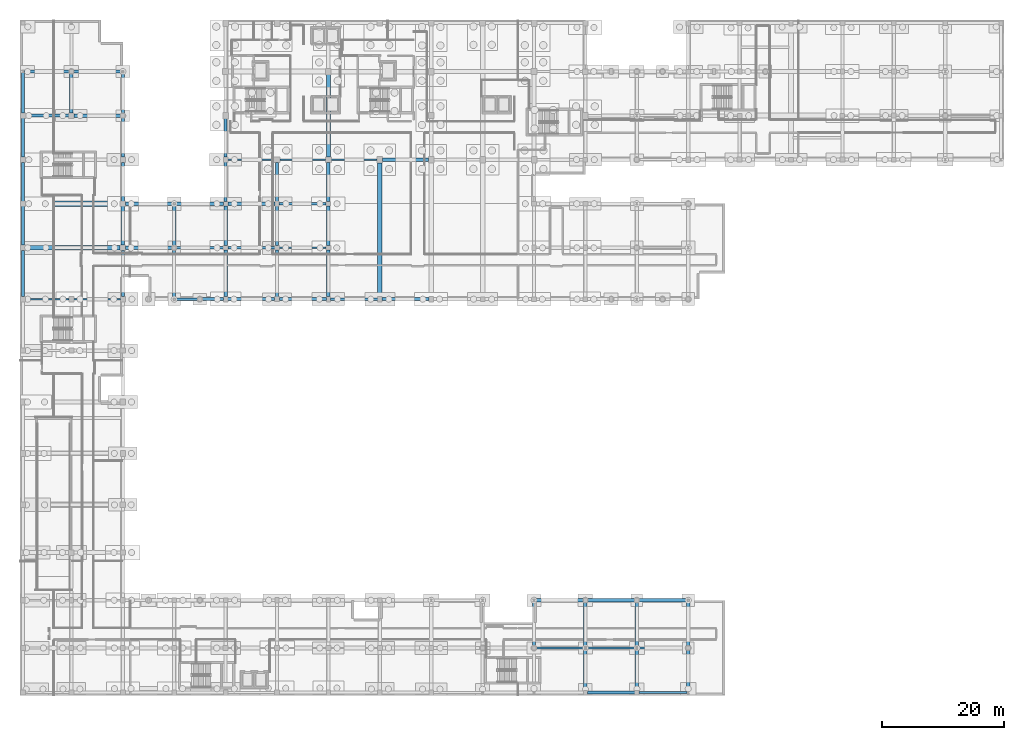
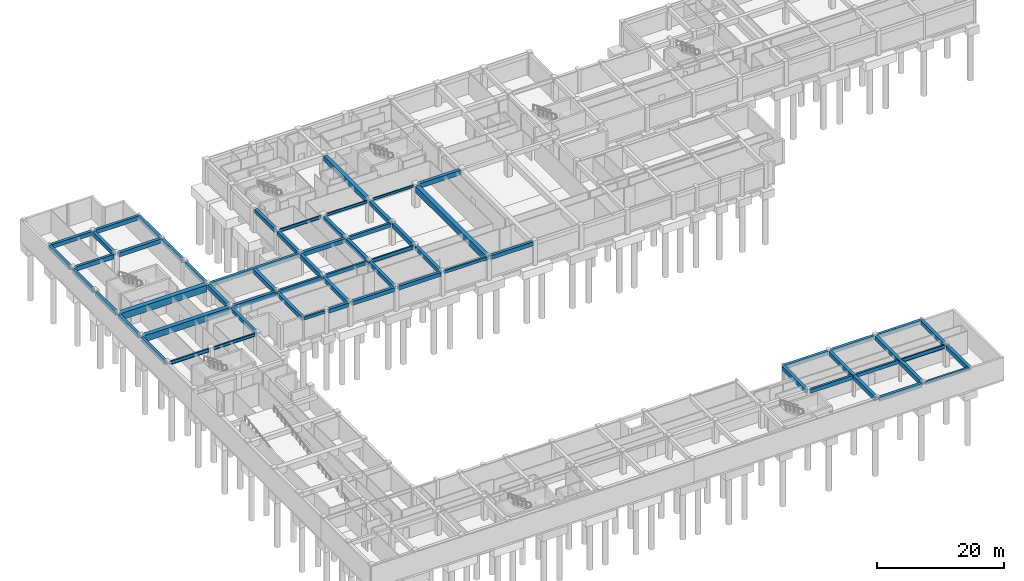
# One storey, part 20 of 42: 66 beams.
"""IFC4 building model written with IfcOpenShell, lengths in metres."""

from ifc_helpers import new_model, si_unit, direction, frame, origin, origin_2d, place, context, subcontext, project, spatial, rectangle, i_section, extrude, material, material_profile, profile_set, type_object, element, save


model = new_model("IFC4")

# Units and contexts
model_context = context("Model", 3, precision=1e-05, world=origin(), true_north=direction((0.0, 1.0)))
body_context = subcontext(model_context, "Body", "Model", "MODEL_VIEW")
ifc_project = project(units=[si_unit("LENGTHUNIT", "METRE"), si_unit("AREAUNIT", "SQUARE_METRE"), si_unit("VOLUMEUNIT", "CUBIC_METRE"), si_unit("PLANEANGLEUNIT", "RADIAN"), si_unit("MASSUNIT", "GRAM", prefix="KILO")], contexts=[model_context])

# Site, building, storey
site_placement = place(None, origin())
site = spatial("IfcSite", under=ifc_project, at=site_placement, CompositionType="ELEMENT")
building_placement = place(site_placement, origin())
building = spatial("IfcBuilding", under=site, at=building_placement, Name="Quendrovan Civic Courthouse", CompositionType="ELEMENT")
storey_placement = place(building_placement, frame((0.0, 0.0, -4.5)))
storey = spatial("IfcBuildingStorey", under=building, at=storey_placement, Name="B1", CompositionType="ELEMENT", Elevation=-4.5)

# Beams
ifc_material_1 = material(Name="Post-tensioned concrete C50/60", Category="concrete")
ifc_material_profile_1 = material_profile(ifc_material_1, rectangle(XDim=0.75, YDim=1.199951171875, at=origin_2d()), Name="PT-GIRD-750x1200")
ifc_profile_set_1 = profile_set([ifc_material_profile_1], Name="Post-tensioned concrete C50/60")
beam_type_1 = type_object("IfcBeamType", Name="BM-PT1200", PredefinedType="BEAM", material=ifc_profile_set_1)
beam_1_placement = place(storey_placement, frame((0.929931640625, 73.199951171875, 3.6201171875), z_axis=(1.0, 0.0, 0.0), x_axis=(0.0, 1.0, 0.0)))
element("IfcBeam", 1, at=beam_1_placement, inside=storey, type_object=beam_type_1, Name="B1 Girder X0062", PredefinedType="BEAM", context=body_context, shape_type="SweptSolid", body=[
    extrude(rectangle(XDim=0.75, YDim=1.199951171875, at=origin_2d()), origin(), (0.0, 0.0, 1.0), 15.440185546875),
])
beam_2_placement = place(storey_placement, frame((58.800048828125, 65.205078125, 3.6201171875), z_axis=(0.0, 1.0, 0.0), x_axis=(-1.0, 0.0, 0.0)))
element("IfcBeam", 2, at=beam_2_placement, inside=storey, type_object=beam_type_1, Name="B1 Girder Y0183", PredefinedType="BEAM", context=body_context, shape_type="SweptSolid", body=[
    extrude(rectangle(XDim=0.75, YDim=1.199951171875, at=origin_2d()), origin(), (0.0, 0.0, 1.0), 21.889892578125),
])
ifc_material_profile_2 = material_profile(ifc_material_1, rectangle(XDim=0.85009765625, YDim=1.300048828125, at=origin_2d()), Name="PT-GRD-850x1300")
ifc_profile_set_2 = profile_set([ifc_material_profile_2], Name="Post-tensioned concrete C50/60")
beam_type_2 = type_object("IfcBeamType", Name="BM-PT1300", PredefinedType="BEAM", material=ifc_profile_set_2)
beam_3_placement = place(storey_placement, frame((0.905029296875, 80.39990234375, 3.570068359375), z_axis=(1.0, 0.0, 0.0), x_axis=(0.0, 1.0, 0.0)))
element("IfcBeam", 3, at=beam_3_placement, inside=storey, type_object=beam_type_2, Name="B1 Girder X0070", PredefinedType="BEAM", context=body_context, shape_type="SweptSolid", body=[
    extrude(rectangle(XDim=0.85009765625, YDim=1.300048828125, at=origin_2d()), origin(), (0.0, 0.0, 1.0), 15.489990234375),
])
ifc_material_profile_3 = material_profile(ifc_material_1, rectangle(XDim=0.64990234375, YDim=0.949951171875, at=origin_2d()), Name="PT-GIRD-650x950")
ifc_profile_set_3 = profile_set([ifc_material_profile_3], Name="Post-tensioned concrete C50/60")
beam_type_3 = type_object("IfcBeamType", Name="BM-PT950", PredefinedType="BEAM", material=ifc_profile_set_3)
beam_4_placement = place(storey_placement, frame((50.39990234375, 88.054931640625, 3.7451171875), z_axis=(0.0, 1.0, 0.0), x_axis=(-1.0, 0.0, 0.0)))
element("IfcBeam", 4, at=beam_4_placement, inside=storey, type_object=beam_type_3, Name="B1 Girder Y0179", PredefinedType="BEAM", context=body_context, shape_type="SweptSolid", body=[
    extrude(rectangle(XDim=0.64990234375, YDim=0.949951171875, at=origin_2d()), origin(), (0.0, 0.0, 1.0), 13.440185546875),
])
ifc_material_2 = material(Name="Concrete C40/50", Category="concrete")
ifc_material_profile_4 = material_profile(ifc_material_2, rectangle(XDim=0.35009765625, YDim=0.550048828125, at=origin_2d()), Name="RC-BM-350x550")
ifc_profile_set_4 = profile_set([ifc_material_profile_4], Name="Concrete C40/50")
beam_type_4 = type_object("IfcBeamType", Name="BM-RC550", PredefinedType="LINTEL", material=ifc_profile_set_4)
beam_5_placement = place(storey_placement, frame((101.1298828125, 0.5, 3.945068359375), z_axis=(1.0, 0.0, 0.0), x_axis=(0.0, 1.0, 0.0)))
element("IfcBeam", 5, at=beam_5_placement, inside=storey, type_object=beam_type_4, Name="B1 Girder X0013", PredefinedType="LINTEL", context=body_context, shape_type="SweptSolid", body=[
    extrude(rectangle(XDim=0.35009765625, YDim=0.550048828125, at=origin_2d()), origin(), (0.0, 0.0, 1.0), 7.903076171875),
])
beam_6_placement = place(storey_placement, frame((25.330078125, 64.800048828125, 3.945068359375), z_axis=(1.0, 0.0, 0.0), x_axis=(0.0, 1.0, 0.0)))
element("IfcBeam", 6, at=beam_6_placement, inside=storey, type_object=beam_type_4, Name="B1 Girder X0049", PredefinedType="LINTEL", context=body_context, shape_type="SweptSolid", body=[
    extrude(rectangle(XDim=0.35009765625, YDim=0.550048828125, at=origin_2d()), origin(), (0.0, 0.0, 1.0), 3.71484375),
])
beam_7_placement = place(storey_placement, frame((50.72998046875, 64.800048828125, 3.945068359375), z_axis=(1.0, 0.0, 0.0), x_axis=(0.0, 1.0, 0.0)))
element("IfcBeam", 7, at=beam_7_placement, inside=storey, type_object=beam_type_4, Name="B1 Girder X0053", PredefinedType="LINTEL", context=body_context, shape_type="SweptSolid", body=[
    extrude(rectangle(XDim=0.35009765625, YDim=0.550048828125, at=origin_2d()), origin(), (0.0, 0.0, 1.0), 7.739990234375),
])
ifc_material_profile_5 = material_profile(ifc_material_2, rectangle(XDim=0.35009765625, YDim=0.64990234375, at=origin_2d()), Name="RC-BM-350x650")
ifc_profile_set_5 = profile_set([ifc_material_profile_5], Name="Concrete C40/50")
beam_type_5 = type_object("IfcBeamType", Name="BM-RC650B", PredefinedType="BEAM", material=ifc_profile_set_5)
beam_8_placement = place(storey_placement, frame((92.56689453125, 7.800048828125, 3.89501953125), z_axis=(1.0, 0.0, 0.0), x_axis=(0.0, 1.0, 0.0)))
element("IfcBeam", 8, at=beam_8_placement, inside=storey, type_object=beam_type_5, Name="B1 Girder X0025", PredefinedType="BEAM", context=body_context, shape_type="SweptSolid", body=[
    extrude(rectangle(XDim=0.35009765625, YDim=0.64990234375, at=origin_2d()), origin(), (0.0, 0.0, 1.0), 8.066162109375),
])
beam_9_placement = place(storey_placement, frame((33.97998046875, 73.199951171875, 3.89501953125), z_axis=(1.0, 0.0, 0.0), x_axis=(0.0, 1.0, 0.0)))
element("IfcBeam", 9, at=beam_9_placement, inside=storey, type_object=beam_type_5, Name="B1 Girder X0065", PredefinedType="BEAM", context=body_context, shape_type="SweptSolid", body=[
    extrude(rectangle(XDim=0.35009765625, YDim=0.64990234375, at=origin_2d()), origin(), (0.0, 0.0, 1.0), 7.6650390625),
])
ifc_material_profile_6 = material_profile(ifc_material_2, rectangle(XDim=0.5, YDim=0.75, at=origin_2d()), Name="RC-BM-500x750")
ifc_profile_set_6 = profile_set([ifc_material_profile_6], Name="Concrete C40/50")
beam_type_6 = type_object("IfcBeamType", Name="BM-RC750", PredefinedType="SPANDREL", material=ifc_profile_set_6)
beam_10_placement = place(storey_placement, frame((92.72998046875, 0.5, 3.844970703125), z_axis=(1.0, 0.0, 0.0), x_axis=(0.0, 1.0, 0.0)))
element("IfcBeam", 10, at=beam_10_placement, inside=storey, type_object=beam_type_6, Name="B1 Girder X0012", PredefinedType="SPANDREL", context=body_context, shape_type="SweptSolid", body=[
    extrude(rectangle(XDim=0.5, YDim=0.75, at=origin_2d()), origin(), (0.0, 0.0, 1.0), 7.739990234375),
])
beam_11_placement = place(storey_placement, frame((84.1669921875, 15.60009765625, 3.844970703125), z_axis=(1.0, 0.0, 0.0), x_axis=(0.0, 1.0, 0.0)))
element("IfcBeam", 11, at=beam_11_placement, inside=storey, type_object=beam_type_6, Name="B1 Girder X0038", PredefinedType="SPANDREL", context=body_context, shape_type="SweptSolid", body=[
    extrude(rectangle(XDim=0.5, YDim=0.75, at=origin_2d()), origin(), (0.0, 0.0, 1.0), 7.903076171875),
])
beam_12_placement = place(storey_placement, frame((92.72998046875, 15.60009765625, 3.844970703125), z_axis=(1.0, 0.0, 0.0), x_axis=(0.0, 1.0, 0.0)))
element("IfcBeam", 12, at=beam_12_placement, inside=storey, type_object=beam_type_6, Name="B1 Girder X0039", PredefinedType="SPANDREL", context=body_context, shape_type="SweptSolid", body=[
    extrude(rectangle(XDim=0.5, YDim=0.75, at=origin_2d()), origin(), (0.0, 0.0, 1.0), 7.739990234375),
])
beam_13_placement = place(storey_placement, frame((101.1298828125, 15.60009765625, 3.844970703125), z_axis=(1.0, 0.0, 0.0), x_axis=(0.0, 1.0, 0.0)))
element("IfcBeam", 13, at=beam_13_placement, inside=storey, type_object=beam_type_6, Name="B1 Girder X0040", PredefinedType="SPANDREL", context=body_context, shape_type="SweptSolid", body=[
    extrude(rectangle(XDim=0.5, YDim=0.75, at=origin_2d()), origin(), (0.0, 0.0, 1.0), 7.940185546875),
])
beam_14_placement = place(storey_placement, frame((29.7548828125, 64.800048828125, 3.844970703125), z_axis=(1.0, 0.0, 0.0), x_axis=(0.0, 1.0, 0.0)))
element("IfcBeam", 14, at=beam_14_placement, inside=storey, type_object=beam_type_6, Name="B1 Girder X0050", PredefinedType="SPANDREL", context=body_context, shape_type="SweptSolid", body=[
    extrude(rectangle(XDim=0.5, YDim=0.75, at=origin_2d()), origin(), (0.0, 0.0, 1.0), 3.51513671875),
])
for number, where, z_axis, x_axis, name in (
    (15, (33.929931640625, 64.800048828125, 3.844970703125), (1.0, 0.0, 0.0), (0.0, 1.0, 0.0), "B1 Girder X0051"),
    (16, (42.3798828125, 64.800048828125, 3.844970703125), (1.0, 0.0, 0.0), (0.0, 1.0, 0.0), "B1 Girder X0052"),
):
    element("IfcBeam", number, at=place(storey_placement, frame(where, z_axis=z_axis, x_axis=x_axis)), inside=storey, type_object=beam_type_6, Name=name, PredefinedType="SPANDREL", context=body_context, shape_type="SweptSolid", body=[
        extrude(rectangle(XDim=0.5, YDim=0.75, at=origin_2d()), origin(), (0.0, 0.0, 1.0), 7.690185546875),
    ])
beam_15_placement = place(storey_placement, frame((59.1298828125, 64.800048828125, 3.844970703125), z_axis=(1.0, 0.0, 0.0), x_axis=(0.0, 1.0, 0.0)))
element("IfcBeam", 17, at=beam_15_placement, inside=storey, type_object=beam_type_6, Name="B1 Girder X0054", PredefinedType="SPANDREL", context=body_context, shape_type="SweptSolid", body=[
    extrude(rectangle(XDim=0.5, YDim=0.75, at=origin_2d()), origin(), (0.0, 0.0, 1.0), 7.740234375),
])
beam_16_placement = place(storey_placement, frame((17.205078125, 80.39990234375, 3.844970703125), z_axis=(1.0, 0.0, 0.0), x_axis=(0.0, 1.0, 0.0)))
element("IfcBeam", 18, at=beam_16_placement, inside=storey, type_object=beam_type_6, Name="B1 Girder X0071", PredefinedType="SPANDREL", context=body_context, shape_type="SweptSolid", body=[
    extrude(rectangle(XDim=0.5, YDim=0.75, at=origin_2d()), origin(), (0.0, 0.0, 1.0), 7.864990234375),
])
beam_17_placement = place(storey_placement, frame((25.330078125, 80.39990234375, 3.844970703125), z_axis=(1.0, 0.0, 0.0), x_axis=(0.0, 1.0, 0.0)))
element("IfcBeam", 19, at=beam_17_placement, inside=storey, type_object=beam_type_6, Name="B1 Girder X0072", PredefinedType="SPANDREL", context=body_context, shape_type="SweptSolid", body=[
    extrude(rectangle(XDim=0.5, YDim=0.75, at=origin_2d()), origin(), (0.0, 0.0, 1.0), 7.9150390625),
])
beam_18_placement = place(storey_placement, frame((0.6669921875, 102.0, 3.844970703125), z_axis=(1.0, 0.0, 0.0), x_axis=(0.0, 1.0, 0.0)))
element("IfcBeam", 20, at=beam_18_placement, inside=storey, type_object=beam_type_6, Name="B1 Girder X0101", PredefinedType="SPANDREL", context=body_context, shape_type="SweptSolid", body=[
    extrude(rectangle(XDim=0.5, YDim=0.75, at=origin_2d()), origin(), (0.0, 0.0, 1.0), 7.403076171875),
])
beam_19_placement = place(storey_placement, frame((8.72998046875, 102.0, 3.844970703125), z_axis=(1.0, 0.0, 0.0), x_axis=(0.0, 1.0, 0.0)))
element("IfcBeam", 21, at=beam_19_placement, inside=storey, type_object=beam_type_6, Name="B1 Girder X0102", PredefinedType="SPANDREL", context=body_context, shape_type="SweptSolid", body=[
    extrude(rectangle(XDim=0.5, YDim=0.75, at=origin_2d()), origin(), (0.0, 0.0, 1.0), 7.93994140625),
])
beam_20_placement = place(storey_placement, frame((0.5, 65.2548828125, 3.844970703125), z_axis=(0.0, 1.0, 0.0), x_axis=(-1.0, 0.0, 0.0)))
element("IfcBeam", 22, at=beam_20_placement, inside=storey, type_object=beam_type_6, Name="B1 Girder Y0138", PredefinedType="SPANDREL", context=body_context, shape_type="SweptSolid", body=[
    extrude(rectangle(XDim=0.5, YDim=0.75, at=origin_2d()), origin(), (0.0, 0.0, 1.0), 7.51513671875),
])
beam_21_placement = place(storey_placement, frame((0.5, 73.6298828125, 3.844970703125), z_axis=(0.0, 1.0, 0.0), x_axis=(-1.0, 0.0, 0.0)))
element("IfcBeam", 23, at=beam_21_placement, inside=storey, type_object=beam_type_6, Name="B1 Girder Y0139", PredefinedType="SPANDREL", context=body_context, shape_type="SweptSolid", body=[
    extrude(rectangle(XDim=0.5, YDim=0.75, at=origin_2d()), origin(), (0.0, 0.0, 1.0), 6.365234375),
])
beam_22_placement = place(storey_placement, frame((0.5, 80.804931640625, 3.844970703125), z_axis=(0.0, 1.0, 0.0), x_axis=(-1.0, 0.0, 0.0)))
element("IfcBeam", 24, at=beam_22_placement, inside=storey, type_object=beam_type_6, Name="B1 Girder Y0140", PredefinedType="SPANDREL", context=body_context, shape_type="SweptSolid", body=[
    extrude(rectangle(XDim=0.5, YDim=0.75, at=origin_2d()), origin(), (0.0, 0.0, 1.0), 6.340087890625),
])
beam_23_placement = place(storey_placement, frame((0.5, 88.054931640625, 3.844970703125), z_axis=(0.0, 1.0, 0.0), x_axis=(-1.0, 0.0, 0.0)))
element("IfcBeam", 25, at=beam_23_placement, inside=storey, type_object=beam_type_6, Name="B1 Girder Y0141", PredefinedType="SPANDREL", context=body_context, shape_type="SweptSolid", body=[
    extrude(rectangle(XDim=0.5, YDim=0.75, at=origin_2d()), origin(), (0.0, 0.0, 1.0), 6.315185546875),
])
beam_24_placement = place(storey_placement, frame((0.5, 95.22998046875, 3.844970703125), z_axis=(0.0, 1.0, 0.0), x_axis=(-1.0, 0.0, 0.0)))
element("IfcBeam", 26, at=beam_24_placement, inside=storey, type_object=beam_type_6, Name="B1 Girder Y0142", PredefinedType="SPANDREL", context=body_context, shape_type="SweptSolid", body=[
    extrude(rectangle(XDim=0.5, YDim=0.75, at=origin_2d()), origin(), (0.0, 0.0, 1.0), 6.60400390625),
])
beam_25_placement = place(storey_placement, frame((16.800048828125, 65.2548828125, 3.844970703125), z_axis=(0.0, 1.0, 0.0), x_axis=(-1.0, 0.0, 0.0)))
element("IfcBeam", 27, at=beam_25_placement, inside=storey, type_object=beam_type_6, Name="B1 Girder Y0153", PredefinedType="SPANDREL", context=body_context, shape_type="SweptSolid", body=[
    extrude(rectangle(XDim=0.5, YDim=0.75, at=origin_2d()), origin(), (0.0, 0.0, 1.0), 7.51513671875),
])
beam_26_placement = place(storey_placement, frame((16.800048828125, 80.804931640625, 3.844970703125), z_axis=(0.0, 1.0, 0.0), x_axis=(-1.0, 0.0, 0.0)))
element("IfcBeam", 28, at=beam_26_placement, inside=storey, type_object=beam_type_6, Name="B1 Girder Y0155", PredefinedType="SPANDREL", context=body_context, shape_type="SweptSolid", body=[
    extrude(rectangle(XDim=0.5, YDim=0.75, at=origin_2d()), origin(), (0.0, 0.0, 1.0), 6.340087890625),
])
beam_27_placement = place(storey_placement, frame((16.800048828125, 88.054931640625, 3.844970703125), z_axis=(0.0, 1.0, 0.0), x_axis=(-1.0, 0.0, 0.0)))
element("IfcBeam", 29, at=beam_27_placement, inside=storey, type_object=beam_type_6, Name="B1 Girder Y0156", PredefinedType="SPANDREL", context=body_context, shape_type="SweptSolid", body=[
    extrude(rectangle(XDim=0.5, YDim=0.75, at=origin_2d()), origin(), (0.0, 0.0, 1.0), 6.4150390625),
])
beam_28_placement = place(storey_placement, frame((16.800048828125, 95.1298828125, 3.844970703125), z_axis=(0.0, 1.0, 0.0), x_axis=(-1.0, 0.0, 0.0)))
element("IfcBeam", 30, at=beam_28_placement, inside=storey, type_object=beam_type_6, Name="B1 Girder Y0157", PredefinedType="SPANDREL", context=body_context, shape_type="SweptSolid", body=[
    extrude(rectangle(XDim=0.5, YDim=0.75, at=origin_2d()), origin(), (0.0, 0.0, 1.0), 6.740234375),
])
beam_29_placement = place(storey_placement, frame((25.199951171875, 64.929931640625, 3.844970703125), z_axis=(0.0, 1.0, 0.0), x_axis=(-1.0, 0.0, 0.0)))
element("IfcBeam", 31, at=beam_29_placement, inside=storey, type_object=beam_type_6, Name="B1 Girder Y0160", PredefinedType="SPANDREL", context=body_context, shape_type="SweptSolid", body=[
    extrude(rectangle(XDim=0.5, YDim=0.75, at=origin_2d()), origin(), (0.0, 0.0, 1.0), 7.965087890625),
])
beam_30_placement = place(storey_placement, frame((33.60009765625, 80.7548828125, 3.844970703125), z_axis=(0.0, 1.0, 0.0), x_axis=(-1.0, 0.0, 0.0)))
element("IfcBeam", 32, at=beam_30_placement, inside=storey, type_object=beam_type_6, Name="B1 Girder Y0165", PredefinedType="SPANDREL", context=body_context, shape_type="SweptSolid", body=[
    extrude(rectangle(XDim=0.5, YDim=0.75, at=origin_2d()), origin(), (0.0, 0.0, 1.0), 6.440185546875),
])
beam_31_placement = place(storey_placement, frame((33.60009765625, 88.0048828125, 3.844970703125), z_axis=(0.0, 1.0, 0.0), x_axis=(-1.0, 0.0, 0.0)))
element("IfcBeam", 33, at=beam_31_placement, inside=storey, type_object=beam_type_6, Name="B1 Girder Y0166", PredefinedType="SPANDREL", context=body_context, shape_type="SweptSolid", body=[
    extrude(rectangle(XDim=0.5, YDim=0.75, at=origin_2d()), origin(), (0.0, 0.0, 1.0), 6.2900390625),
])
ifc_material_profile_7 = material_profile(ifc_material_2, rectangle(XDim=0.39990234375, YDim=0.75, at=origin_2d()), Name="RC-BM-400x750")
ifc_profile_set_7 = profile_set([ifc_material_profile_7], Name="Concrete C40/50")
beam_type_7 = type_object("IfcBeamType", Name="BM-RC750B", PredefinedType="BEAM", material=ifc_profile_set_7)
beam_32_placement = place(storey_placement, frame((84.330078125, 7.800048828125, 3.844970703125), z_axis=(1.0, 0.0, 0.0), x_axis=(0.0, 1.0, 0.0)))
element("IfcBeam", 34, at=beam_32_placement, inside=storey, type_object=beam_type_7, Name="B1 Girder X0024", PredefinedType="BEAM", context=body_context, shape_type="SweptSolid", body=[
    extrude(rectangle(XDim=0.39990234375, YDim=0.75, at=origin_2d()), origin(), (0.0, 0.0, 1.0), 7.90283203125),
])
beam_33_placement = place(storey_placement, frame((25.5048828125, 73.199951171875, 3.844970703125), z_axis=(1.0, 0.0, 0.0), x_axis=(0.0, 1.0, 0.0)))
element("IfcBeam", 35, at=beam_33_placement, inside=storey, type_object=beam_type_7, Name="B1 Girder X0064", PredefinedType="BEAM", context=body_context, shape_type="SweptSolid", body=[
    extrude(rectangle(XDim=0.39990234375, YDim=0.75, at=origin_2d()), origin(), (0.0, 0.0, 1.0), 7.715087890625),
])
beam_34_placement = place(storey_placement, frame((42.330078125, 80.39990234375, 3.844970703125), z_axis=(1.0, 0.0, 0.0), x_axis=(0.0, 1.0, 0.0)))
element("IfcBeam", 36, at=beam_34_placement, inside=storey, type_object=beam_type_7, Name="B1 Girder X0074", PredefinedType="BEAM", context=body_context, shape_type="SweptSolid", body=[
    extrude(rectangle(XDim=0.39990234375, YDim=0.75, at=origin_2d()), origin(), (0.0, 0.0, 1.0), 7.71484375),
])
ifc_material_profile_8 = material_profile(ifc_material_2, rectangle(XDim=0.550048828125, YDim=0.800048828125, at=origin_2d()), Name="RC-BM-550x800")
ifc_profile_set_8 = profile_set([ifc_material_profile_8], Name="Concrete C40/50")
beam_type_8 = type_object("IfcBeamType", Name="BM-RC800", PredefinedType="BEAM", material=ifc_profile_set_8)
beam_35_placement = place(storey_placement, frame((17.22998046875, 73.199951171875, 3.820068359375), z_axis=(1.0, 0.0, 0.0), x_axis=(0.0, 1.0, 0.0)))
element("IfcBeam", 37, at=beam_35_placement, inside=storey, type_object=beam_type_8, Name="B1 Girder X0063", PredefinedType="BEAM", context=body_context, shape_type="SweptSolid", body=[
    extrude(rectangle(XDim=0.550048828125, YDim=0.800048828125, at=origin_2d()), origin(), (0.0, 0.0, 1.0), 7.6650390625),
])
beam_36_placement = place(storey_placement, frame((33.955078125, 80.39990234375, 3.820068359375), z_axis=(1.0, 0.0, 0.0), x_axis=(0.0, 1.0, 0.0)))
element("IfcBeam", 38, at=beam_36_placement, inside=storey, type_object=beam_type_8, Name="B1 Girder X0073", PredefinedType="BEAM", context=body_context, shape_type="SweptSolid", body=[
    extrude(rectangle(XDim=0.550048828125, YDim=0.800048828125, at=origin_2d()), origin(), (0.0, 0.0, 1.0), 7.71484375),
])
beam_37_placement = place(storey_placement, frame((8.830078125, 94.800048828125, 3.820068359375), z_axis=(1.0, 0.0, 0.0), x_axis=(0.0, 1.0, 0.0)))
element("IfcBeam", 39, at=beam_37_placement, inside=storey, type_object=beam_type_8, Name="B1 Girder X0093", PredefinedType="BEAM", context=body_context, shape_type="SweptSolid", body=[
    extrude(rectangle(XDim=0.550048828125, YDim=0.800048828125, at=origin_2d()), origin(), (0.0, 0.0, 1.0), 7.639892578125),
])
beam_38_placement = place(storey_placement, frame((8.39990234375, 95.22998046875, 3.820068359375), z_axis=(0.0, 1.0, 0.0), x_axis=(-1.0, 0.0, 0.0)))
element("IfcBeam", 40, at=beam_38_placement, inside=storey, type_object=beam_type_8, Name="B1 Girder Y0146", PredefinedType="BEAM", context=body_context, shape_type="SweptSolid", body=[
    extrude(rectangle(XDim=0.550048828125, YDim=0.800048828125, at=origin_2d()), origin(), (0.0, 0.0, 1.0), 6.43994140625),
])
beam_39_placement = place(storey_placement, frame((16.800048828125, 73.6298828125, 3.820068359375), z_axis=(0.0, 1.0, 0.0), x_axis=(-1.0, 0.0, 0.0)))
element("IfcBeam", 41, at=beam_39_placement, inside=storey, type_object=beam_type_8, Name="B1 Girder Y0154", PredefinedType="BEAM", context=body_context, shape_type="SweptSolid", body=[
    extrude(rectangle(XDim=0.550048828125, YDim=0.800048828125, at=origin_2d()), origin(), (0.0, 0.0, 1.0), 6.365234375),
])
beam_40_placement = place(storey_placement, frame((25.199951171875, 73.5048828125, 3.820068359375), z_axis=(0.0, 1.0, 0.0), x_axis=(-1.0, 0.0, 0.0)))
element("IfcBeam", 42, at=beam_40_placement, inside=storey, type_object=beam_type_8, Name="B1 Girder Y0161", PredefinedType="BEAM", context=body_context, shape_type="SweptSolid", body=[
    extrude(rectangle(XDim=0.550048828125, YDim=0.800048828125, at=origin_2d()), origin(), (0.0, 0.0, 1.0), 6.76513671875),
])
beam_41_placement = place(storey_placement, frame((33.60009765625, 65.205078125, 3.820068359375), z_axis=(0.0, 1.0, 0.0), x_axis=(-1.0, 0.0, 0.0)))
element("IfcBeam", 43, at=beam_41_placement, inside=storey, type_object=beam_type_8, Name="B1 Girder Y0163", PredefinedType="BEAM", context=body_context, shape_type="SweptSolid", body=[
    extrude(rectangle(XDim=0.550048828125, YDim=0.800048828125, at=origin_2d()), origin(), (0.0, 0.0, 1.0), 7.614990234375),
])
beam_42_placement = place(storey_placement, frame((33.60009765625, 73.580078125, 3.820068359375), z_axis=(0.0, 1.0, 0.0), x_axis=(-1.0, 0.0, 0.0)))
element("IfcBeam", 44, at=beam_42_placement, inside=storey, type_object=beam_type_8, Name="B1 Girder Y0164", PredefinedType="BEAM", context=body_context, shape_type="SweptSolid", body=[
    extrude(rectangle(XDim=0.550048828125, YDim=0.800048828125, at=origin_2d()), origin(), (0.0, 0.0, 1.0), 6.46484375),
])
beam_43_placement = place(storey_placement, frame((42.0, 65.179931640625, 3.820068359375), z_axis=(0.0, 1.0, 0.0), x_axis=(-1.0, 0.0, 0.0)))
element("IfcBeam", 45, at=beam_43_placement, inside=storey, type_object=beam_type_8, Name="B1 Girder Y0171", PredefinedType="BEAM", context=body_context, shape_type="SweptSolid", body=[
    extrude(rectangle(XDim=0.550048828125, YDim=0.800048828125, at=origin_2d()), origin(), (0.0, 0.0, 1.0), 7.6650390625),
])
beam_44_placement = place(storey_placement, frame((42.0, 73.554931640625, 3.820068359375), z_axis=(0.0, 1.0, 0.0), x_axis=(-1.0, 0.0, 0.0)))
element("IfcBeam", 46, at=beam_44_placement, inside=storey, type_object=beam_type_8, Name="B1 Girder Y0172", PredefinedType="BEAM", context=body_context, shape_type="SweptSolid", body=[
    extrude(rectangle(XDim=0.550048828125, YDim=0.800048828125, at=origin_2d()), origin(), (0.0, 0.0, 1.0), 6.440185546875),
])
beam_45_placement = place(storey_placement, frame((42.0, 80.804931640625, 3.820068359375), z_axis=(0.0, 1.0, 0.0), x_axis=(-1.0, 0.0, 0.0)))
element("IfcBeam", 47, at=beam_45_placement, inside=storey, type_object=beam_type_8, Name="B1 Girder Y0173", PredefinedType="BEAM", context=body_context, shape_type="SweptSolid", body=[
    extrude(rectangle(XDim=0.550048828125, YDim=0.800048828125, at=origin_2d()), origin(), (0.0, 0.0, 1.0), 6.340087890625),
])
beam_46_placement = place(storey_placement, frame((50.39990234375, 65.205078125, 3.820068359375), z_axis=(0.0, 1.0, 0.0), x_axis=(-1.0, 0.0, 0.0)))
element("IfcBeam", 48, at=beam_46_placement, inside=storey, type_object=beam_type_8, Name="B1 Girder Y0176", PredefinedType="BEAM", context=body_context, shape_type="SweptSolid", body=[
    extrude(rectangle(XDim=0.550048828125, YDim=0.800048828125, at=origin_2d()), origin(), (0.0, 0.0, 1.0), 7.614990234375),
])
beam_47_placement = place(storey_placement, frame((50.39990234375, 73.580078125, 3.820068359375), z_axis=(0.0, 1.0, 0.0), x_axis=(-1.0, 0.0, 0.0)))
element("IfcBeam", 49, at=beam_47_placement, inside=storey, type_object=beam_type_8, Name="B1 Girder Y0177", PredefinedType="BEAM", context=body_context, shape_type="SweptSolid", body=[
    extrude(rectangle(XDim=0.550048828125, YDim=0.800048828125, at=origin_2d()), origin(), (0.0, 0.0, 1.0), 6.46484375),
])
beam_48_placement = place(storey_placement, frame((50.39990234375, 80.7548828125, 3.820068359375), z_axis=(0.0, 1.0, 0.0), x_axis=(-1.0, 0.0, 0.0)))
element("IfcBeam", 50, at=beam_48_placement, inside=storey, type_object=beam_type_8, Name="B1 Girder Y0178", PredefinedType="BEAM", context=body_context, shape_type="SweptSolid", body=[
    extrude(rectangle(XDim=0.550048828125, YDim=0.800048828125, at=origin_2d()), origin(), (0.0, 0.0, 1.0), 6.39013671875),
])
beam_49_placement = place(storey_placement, frame((84.0, 8.1298828125, 3.820068359375), z_axis=(0.0, 1.0, 0.0), x_axis=(-1.0, 0.0, 0.0)))
element("IfcBeam", 51, at=beam_49_placement, inside=storey, type_object=beam_type_8, Name="B1 Girder Y0194", PredefinedType="BEAM", context=body_context, shape_type="SweptSolid", body=[
    extrude(rectangle(XDim=0.550048828125, YDim=0.800048828125, at=origin_2d()), origin(), (0.0, 0.0, 1.0), 7.30419921875),
])
beam_50_placement = place(storey_placement, frame((92.39990234375, 0.830078125, 3.820068359375), z_axis=(0.0, 1.0, 0.0), x_axis=(-1.0, 0.0, 0.0)))
element("IfcBeam", 52, at=beam_50_placement, inside=storey, type_object=beam_type_8, Name="B1 Girder Y0200", PredefinedType="BEAM", context=body_context, shape_type="SweptSolid", body=[
    extrude(rectangle(XDim=0.550048828125, YDim=0.800048828125, at=origin_2d()), origin(), (0.0, 0.0, 1.0), 6.803955078125),
])
beam_51_placement = place(storey_placement, frame((92.39990234375, 7.966064453125, 3.820068359375), z_axis=(0.0, 1.0, 0.0), x_axis=(-1.0, 0.0, 0.0)))
element("IfcBeam", 53, at=beam_51_placement, inside=storey, type_object=beam_type_8, Name="B1 Girder Y0201", PredefinedType="BEAM", context=body_context, shape_type="SweptSolid", body=[
    extrude(rectangle(XDim=0.550048828125, YDim=0.800048828125, at=origin_2d()), origin(), (0.0, 0.0, 1.0), 7.303955078125),
])
beam_52_placement = place(storey_placement, frame((100.800048828125, 0.830078125, 3.820068359375), z_axis=(0.0, 1.0, 0.0), x_axis=(-1.0, 0.0, 0.0)))
element("IfcBeam", 54, at=beam_52_placement, inside=storey, type_object=beam_type_8, Name="B1 Girder Y0207", PredefinedType="BEAM", context=body_context, shape_type="SweptSolid", body=[
    extrude(rectangle(XDim=0.550048828125, YDim=0.800048828125, at=origin_2d()), origin(), (0.0, 0.0, 1.0), 6.803955078125),
])
beam_53_placement = place(storey_placement, frame((100.800048828125, 7.966064453125, 3.820068359375), z_axis=(0.0, 1.0, 0.0), x_axis=(-1.0, 0.0, 0.0)))
element("IfcBeam", 55, at=beam_53_placement, inside=storey, type_object=beam_type_8, Name="B1 Girder Y0208", PredefinedType="BEAM", context=body_context, shape_type="SweptSolid", body=[
    extrude(rectangle(XDim=0.550048828125, YDim=0.800048828125, at=origin_2d()), origin(), (0.0, 0.0, 1.0), 7.303955078125),
])
beam_54_placement = place(storey_placement, frame((109.199951171875, 0.666015625, 3.820068359375), z_axis=(0.0, 1.0, 0.0), x_axis=(-1.0, 0.0, 0.0)))
element("IfcBeam", 56, at=beam_54_placement, inside=storey, type_object=beam_type_8, Name="B1 Girder Y0213", PredefinedType="BEAM", context=body_context, shape_type="SweptSolid", body=[
    extrude(rectangle(XDim=0.550048828125, YDim=0.800048828125, at=origin_2d()), origin(), (0.0, 0.0, 1.0), 6.803955078125),
])
beam_55_placement = place(storey_placement, frame((109.199951171875, 8.1298828125, 3.820068359375), z_axis=(0.0, 1.0, 0.0), x_axis=(-1.0, 0.0, 0.0)))
element("IfcBeam", 57, at=beam_55_placement, inside=storey, type_object=beam_type_8, Name="B1 Girder Y0214", PredefinedType="BEAM", context=body_context, shape_type="SweptSolid", body=[
    extrude(rectangle(XDim=0.550048828125, YDim=0.800048828125, at=origin_2d()), origin(), (0.0, 0.0, 1.0), 7.340087890625),
])
ifc_material_3 = material(Name="Concrete C45/55", Category="concrete")
ifc_material_profile_9 = material_profile(ifc_material_3, rectangle(XDim=0.449951171875, YDim=0.85009765625, at=origin_2d()), Name="RC-BM-450x850")
ifc_profile_set_9 = profile_set([ifc_material_profile_9], Name="Concrete C45/55")
beam_type_9 = type_object("IfcBeamType", Name="BM-RC850", PredefinedType="BEAM", material=ifc_profile_set_9)
beam_56_placement = place(storey_placement, frame((0.929931640625, 94.800048828125, 3.794921875), z_axis=(1.0, 0.0, 0.0), x_axis=(0.0, 1.0, 0.0)))
element("IfcBeam", 58, at=beam_56_placement, inside=storey, type_object=beam_type_9, Name="B1 Girder X0092", PredefinedType="BEAM", context=body_context, shape_type="SweptSolid", body=[
    extrude(rectangle(XDim=0.449951171875, YDim=0.85009765625, at=origin_2d()), origin(), (0.0, 0.0, 1.0), 7.0400390625),
])
ifc_material_profile_10 = material_profile(ifc_material_2, rectangle(XDim=0.60009765625, YDim=0.89990234375, at=origin_2d()), Name="RC-BM-600x900")
ifc_profile_set_10 = profile_set([ifc_material_profile_10], Name="Concrete C40/50")
beam_type_10 = type_object("IfcBeamType", Name="BM-RC900", PredefinedType="BEAM", material=ifc_profile_set_10)
beam_57_placement = place(storey_placement, frame((59.22998046875, 87.60009765625, 3.77001953125), z_axis=(1.0, 0.0, 0.0), x_axis=(0.0, 1.0, 0.0)))
element("IfcBeam", 59, at=beam_57_placement, inside=storey, type_object=beam_type_10, Name="B1 Girder X0081", PredefinedType="BEAM", context=body_context, shape_type="SweptSolid", body=[
    extrude(rectangle(XDim=0.60009765625, YDim=0.89990234375, at=origin_2d()), origin(), (0.0, 0.0, 1.0), 7.5400390625),
])
ifc_material_4 = material(Name="Steel ASTM A992 Grade 50", Category="steel")
ifc_material_profile_11 = material_profile(ifc_material_4, i_section(OverallWidth=0.18994140625, OverallDepth=0.45703125, WebThickness=0.009033203125, FlangeThickness=0.014404296875, at=origin_2d()), Name="W18X50")
ifc_profile_set_11 = profile_set([ifc_material_profile_11], Name="Steel ASTM A992 Grade 50")
beam_type_11 = type_object("IfcBeamType", Name="BM-STL-W18", PredefinedType="JOIST", material=ifc_profile_set_11)
beam_58_placement = place(storey_placement, frame((50.85498046875, 87.60009765625, 3.991455078125), z_axis=(1.0, 0.0, 0.0), x_axis=(0.0, 1.0, 0.0)))
element("IfcBeam", 60, at=beam_58_placement, inside=storey, type_object=beam_type_11, Name="B1 Girder X0080", PredefinedType="JOIST", context=body_context, shape_type="SweptSolid", body=[
    extrude(i_section(OverallWidth=0.18994140625, OverallDepth=0.45703125, WebThickness=0.009033203125, FlangeThickness=0.014404296875, at=origin_2d()), origin(), (0.0, 0.0, 1.0), 7.51513671875),
])
ifc_material_profile_12 = material_profile(ifc_material_4, i_section(OverallWidth=0.208984375, OverallDepth=0.532958984375, WebThickness=0.01025390625, FlangeThickness=0.015625, at=origin_2d()), Name="W21X62")
ifc_profile_set_12 = profile_set([ifc_material_profile_12], Name="Steel ASTM A992 Grade 50")
beam_type_12 = type_object("IfcBeamType", Name="BM-STL-W21", PredefinedType="JOIST", material=ifc_profile_set_12)
beam_59_placement = place(storey_placement, frame((42.455078125, 87.60009765625, 3.95361328125), z_axis=(1.0, 0.0, 0.0), x_axis=(0.0, 1.0, 0.0)))
element("IfcBeam", 61, at=beam_59_placement, inside=storey, type_object=beam_type_12, Name="B1 Girder X0079", PredefinedType="JOIST", context=body_context, shape_type="SweptSolid", body=[
    extrude(i_section(OverallWidth=0.208984375, OverallDepth=0.532958984375, WebThickness=0.01025390625, FlangeThickness=0.015625, at=origin_2d()), origin(), (0.0, 0.0, 1.0), 7.489990234375),
])
ifc_material_profile_13 = material_profile(ifc_material_4, i_section(OverallWidth=0.22802734375, OverallDepth=0.60693359375, WebThickness=0.01123046875, FlangeThickness=0.017333984375, at=origin_2d()), Name="W24X76")
ifc_profile_set_13 = profile_set([ifc_material_profile_13], Name="Steel ASTM A992 Grade 50")
beam_type_13 = type_object("IfcBeamType", Name="BM-STL-W24", PredefinedType="BEAM", material=ifc_profile_set_13)
beam_60_placement = place(storey_placement, frame((8.780029296875, 64.800048828125, 3.91650390625), z_axis=(1.0, 0.0, 0.0), x_axis=(0.0, 1.0, 0.0)))
element("IfcBeam", 62, at=beam_60_placement, inside=storey, type_object=beam_type_13, Name="B1 Girder X0048", PredefinedType="BEAM", context=body_context, shape_type="SweptSolid", body=[
    extrude(i_section(OverallWidth=0.22802734375, OverallDepth=0.60693359375, WebThickness=0.01123046875, FlangeThickness=0.017333984375, at=origin_2d()), origin(), (0.0, 0.0, 1.0), 7.639892578125),
])
beam_61_placement = place(storey_placement, frame((33.929931640625, 87.60009765625, 3.91650390625), z_axis=(1.0, 0.0, 0.0), x_axis=(0.0, 1.0, 0.0)))
element("IfcBeam", 63, at=beam_61_placement, inside=storey, type_object=beam_type_13, Name="B1 Girder X0078", PredefinedType="BEAM", context=body_context, shape_type="SweptSolid", body=[
    extrude(i_section(OverallWidth=0.22802734375, OverallDepth=0.60693359375, WebThickness=0.01123046875, FlangeThickness=0.017333984375, at=origin_2d()), origin(), (0.0, 0.0, 1.0), 7.614990234375),
])
ifc_material_profile_14 = material_profile(ifc_material_4, i_section(OverallWidth=0.25390625, OverallDepth=0.68408203125, WebThickness=0.012451171875, FlangeThickness=0.018798828125, at=origin_2d()), Name="W27X94")
ifc_profile_set_14 = profile_set([ifc_material_profile_14], Name="Steel ASTM A992 Grade 50")
beam_type_14 = type_object("IfcBeamType", Name="BM-STL-W27", PredefinedType="BEAM", material=ifc_profile_set_14)
beam_62_placement = place(storey_placement, frame((0.8798828125, 64.800048828125, 3.8779296875), z_axis=(1.0, 0.0, 0.0), x_axis=(0.0, 1.0, 0.0)))
element("IfcBeam", 64, at=beam_62_placement, inside=storey, type_object=beam_type_14, Name="B1 Girder X0047", PredefinedType="BEAM", context=body_context, shape_type="SweptSolid", body=[
    extrude(i_section(OverallWidth=0.25390625, OverallDepth=0.68408203125, WebThickness=0.012451171875, FlangeThickness=0.018798828125, at=origin_2d()), origin(), (0.0, 0.0, 1.0), 7.14013671875),
])
ifc_material_profile_15 = material_profile(ifc_material_4, i_section(OverallWidth=0.26611328125, OverallDepth=0.758056640625, WebThickness=0.013916015625, FlangeThickness=0.019287109375, at=origin_2d()), Name="W30X108")
ifc_profile_set_15 = profile_set([ifc_material_profile_15], Name="Steel ASTM A992 Grade 50")
beam_type_15 = type_object("IfcBeamType", Name="BM-STL-W30", PredefinedType="BEAM", material=ifc_profile_set_15)
beam_63_placement = place(storey_placement, frame((100.967041015625, 7.800048828125, 3.841064453125), z_axis=(1.0, 0.0, 0.0), x_axis=(0.0, 1.0, 0.0)))
element("IfcBeam", 65, at=beam_63_placement, inside=storey, type_object=beam_type_15, Name="B1 Girder X0026", PredefinedType="BEAM", context=body_context, shape_type="SweptSolid", body=[
    extrude(i_section(OverallWidth=0.26611328125, OverallDepth=0.758056640625, WebThickness=0.013916015625, FlangeThickness=0.019287109375, at=origin_2d()), origin(), (0.0, 0.0, 1.0), 7.903076171875),
])
beam_64_placement = place(storey_placement, frame((42.35498046875, 73.199951171875, 3.841064453125), z_axis=(1.0, 0.0, 0.0), x_axis=(0.0, 1.0, 0.0)))
element("IfcBeam", 66, at=beam_64_placement, inside=storey, type_object=beam_type_15, Name="B1 Girder X0066", PredefinedType="BEAM", context=body_context, shape_type="SweptSolid", body=[
    extrude(i_section(OverallWidth=0.26611328125, OverallDepth=0.758056640625, WebThickness=0.013916015625, FlangeThickness=0.019287109375, at=origin_2d()), origin(), (0.0, 0.0, 1.0), 7.6650390625),
])

save(model, "model.ifc")
